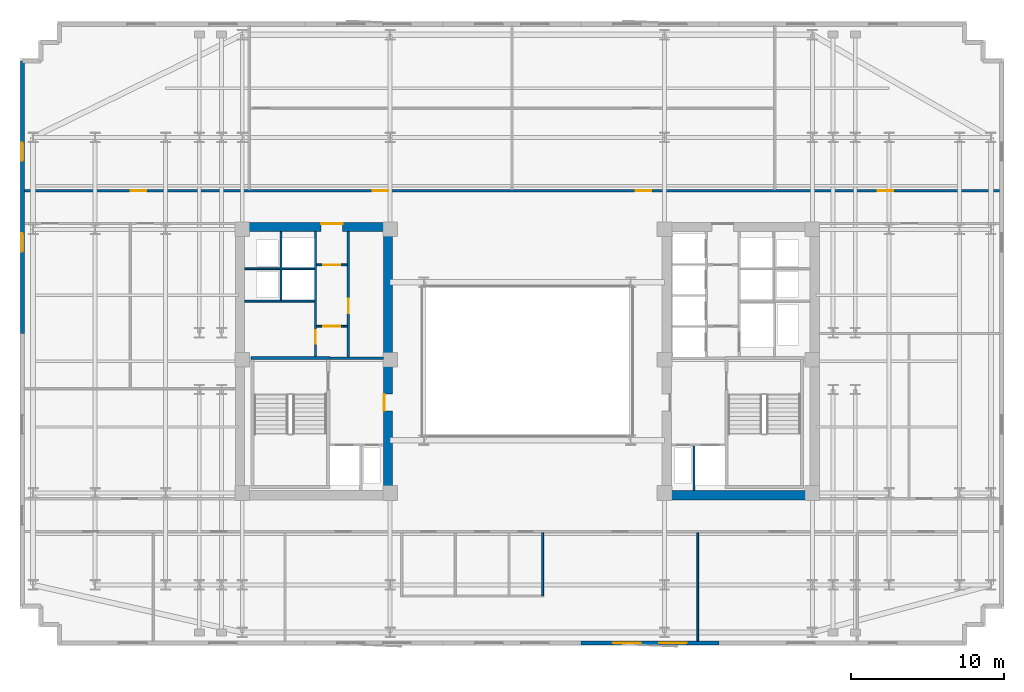
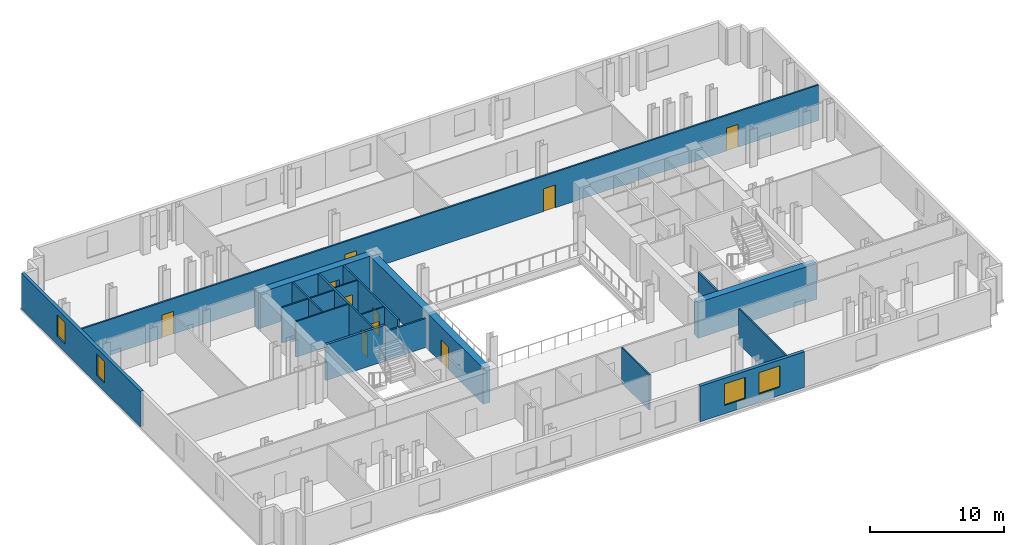
# One storey, part 5 of 10: 19 walls, 10 doors, 4 windows, 14 openings.
"""IFC4 building model written with IfcOpenShell, lengths in metres."""

from ifc_helpers import new_model, si_unit, direction, frame, frame_2d, origin, place, context, subcontext, project, spatial, rectangle, extrude, material, layer, layer_set, type_object, element, fill, save


model = new_model("IFC4")

# Units and contexts
model_context = context("Model", 3, precision=1e-05, world=origin(), true_north=direction((0.0, 1.0)))
body_context = subcontext(model_context, "Body", "Model", "MODEL_VIEW")
ifc_project = project(units=[si_unit("LENGTHUNIT", "METRE"), si_unit("AREAUNIT", "SQUARE_METRE"), si_unit("VOLUMEUNIT", "CUBIC_METRE"), si_unit("PLANEANGLEUNIT", "RADIAN"), si_unit("MASSUNIT", "GRAM", prefix="KILO")], contexts=[model_context])

# Site, building, storey
site_placement = place(None, origin())
site = spatial("IfcSite", under=ifc_project, at=site_placement, CompositionType="ELEMENT")
building_placement = place(site_placement, origin())
building = spatial("IfcBuilding", under=site, at=building_placement, Name="Velakula Bourse", CompositionType="ELEMENT")
storey_placement = place(building_placement, frame((0.0, 0.0, 145.0)))
storey = spatial("IfcBuildingStorey", under=building, at=storey_placement, Name="L39", CompositionType="ELEMENT", Elevation=145.0)

# Wall
ifc_material_1 = material(Name="Concrete M50 (fck 50 MPa)", Category="concrete")
ifc_layer_1 = layer(ifc_material_1, 0.2099609375, Name="Concrete M50 (fck 50 MPa)", Category="concrete")
ifc_layer_set_1 = layer_set([ifc_layer_1], Name="Concrete M50 (fck 50 MPa)")
wall_type_1 = type_object("IfcWallType", Name="WL-CORE-210", PredefinedType="SHEAR", material=ifc_layer_set_1)
wall_1_placement = place(storey_placement, frame((-12.889892578125, 0.205078125, 0.0), z_axis=(0.0, 0.0, 1.0), x_axis=(-1.0, 0.0, 0.0)))
element("IfcWall", 1, at=wall_1_placement, inside=storey, type_object=wall_type_1, Name="L39 Core W Stairwell Shear Wall N", PredefinedType="SHEAR", context=body_context, shape_type="SweptSolid", body=[
    extrude(rectangle(XDim=5.14013671875, YDim=0.2099609375, at=frame_2d((2.570068359375, 0.0))), origin(), (0.0, 0.0, 1.0), 3.27001953125),
])

# Wall, opening, door
ifc_material_2 = material(Name="Concrete M70 (fck 70 MPa)", Category="concrete")
ifc_layer_2 = layer(ifc_material_2, 0.60009765625, Name="Concrete M70 (fck 70 MPa)", Category="concrete")
ifc_layer_set_2 = layer_set([ifc_layer_2], Name="Concrete M70 (fck 70 MPa)")
wall_type_2 = type_object("IfcWallType", Name="WL-CORE-600", PredefinedType="SHEAR", material=ifc_layer_set_2)
wall_2_placement = place(storey_placement, frame((-19.050048828125, 8.75, 0.0), z_axis=(0.0, 0.0, 1.0), x_axis=(1.0, 0.0, 0.0)))
wall_2 = element("IfcWall", 2, at=wall_2_placement, inside=storey, type_object=wall_type_2, Name="L39 Core W Shear Wall N", PredefinedType="SHEAR", context=body_context, shape_type="SweptSolid", body=[
    extrude(rectangle(XDim=10.25, YDim=0.60009765625, at=frame_2d((5.125, 0.0))), origin(), (0.0, 0.0, 1.0), 3.27001953125),
])
opening_1_placement = place(wall_2_placement, frame((5.60009765625, 0.0, 0.0)))
opening_1 = element("IfcOpeningElement", 3, at=opening_1_placement, cuts=wall_2, Name="Opening D-LLW", PredefinedType="OPENING", context=body_context, shape_type="SweptSolid", body=[
    extrude(rectangle(XDim=1.39990234375, YDim=2.050048828125, at=frame_2d((0.699951171875, 1.02490234375))), frame((0.0, 0.31005859375, 0.0), z_axis=(0.0, -1.0, 0.0), x_axis=(1.0, 0.0, 0.0)), (0.0, 0.0, 1.0), 0.6201171875),
])
ifc_material_3 = material(Name="Fire-rated hardwood flush architectural door", Category="wood")
door_type_1 = type_object("IfcDoorType", Name="DR-DBL-FD60-1400", OperationType="DOUBLE_DOOR_SINGLE_SWING", PredefinedType="DOOR", material=ifc_material_3)
door_1_placement = place(opening_1_placement, origin())
door_1 = element("IfcDoor", 4, at=door_1_placement, inside=storey, type_object=door_type_1, Name="L39 Core W Lift Lobby Corridor Double Door", OperationType="DOUBLE_DOOR_SINGLE_SWING", OverallHeight=2.050048828125, OverallWidth=1.39990234375, PredefinedType="DOOR", context=body_context, shape_type="SweptSolid", body=[
    extrude(rectangle(XDim=1.39990234375, YDim=2.050048828125, at=frame_2d((0.699951171875, 1.02490234375))), frame((0.0, 0.2451171875, 0.0), z_axis=(0.0, -1.0, 0.0), x_axis=(1.0, 0.0, 0.0)), (0.0, 0.0, 1.0), 0.050048828125),
])
fill(opening_1, door_1)

wall_3_placement = place(storey_placement, frame((-9.10009765625, -8.449951171875, 0.0), z_axis=(0.0, 0.0, 1.0), x_axis=(0.0, 1.0, 0.0)))
wall_3 = element("IfcWall", 5, at=wall_3_placement, inside=storey, type_object=wall_type_2, Name="L39 Core W Shear Wall E", PredefinedType="SHEAR", context=body_context, shape_type="SweptSolid", body=[
    extrude(rectangle(XDim=16.89990234375, YDim=0.60009765625, at=frame_2d((8.449951171875, 0.0))), origin(), (0.0, 0.0, 1.0), 3.27001953125),
])
opening_2_placement = place(wall_3_placement, frame((5.199951171875, 0.0, 0.0)))
opening_2 = element("IfcOpeningElement", 6, at=opening_2_placement, cuts=wall_3, Name="Opening D-FLW", PredefinedType="OPENING", context=body_context, shape_type="SweptSolid", body=[
    extrude(rectangle(XDim=1.10009765625, YDim=2.080078125, at=frame_2d((0.550048828125, 1.0400390625))), frame((0.0, 0.31005859375, 0.0), z_axis=(0.0, -1.0, 0.0), x_axis=(1.0, 0.0, 0.0)), (0.0, 0.0, 1.0), 0.6201171875),
])
ifc_material_4 = material(Name="Galvanised painted hollow steel fire door", Category="steel")
door_type_2 = type_object("IfcDoorType", Name="DR-FD120-1100", OperationType="NOTDEFINED", PredefinedType="DOOR", material=ifc_material_4)
door_2_placement = place(opening_2_placement, origin())
door_2 = element("IfcDoor", 7, at=door_2_placement, inside=storey, type_object=door_type_2, Name="L39 Firefighting Lobby W Corridor Fire Door", OperationType="SINGLE_SWING_LEFT", OverallHeight=2.080078125, OverallWidth=1.10009765625, PredefinedType="DOOR", context=body_context, shape_type="SweptSolid", body=[
    extrude(rectangle(XDim=1.10009765625, YDim=2.080078125, at=frame_2d((0.550048828125, 1.0400390625))), frame((0.0, 0.2548828125, 0.0), z_axis=(0.0, -1.0, 0.0), x_axis=(1.0, 0.0, 0.0)), (0.0, 0.0, 1.0), 0.050048828125),
])
fill(opening_2, door_2)

# Wall
wall_4_placement = place(storey_placement, frame((8.800048828125, -8.75, 0.0), z_axis=(0.0, 0.0, 1.0), x_axis=(1.0, 0.0, 0.0)))
element("IfcWall", 8, at=wall_4_placement, inside=storey, type_object=wall_type_2, Name="L39 Core E Shear Wall S", PredefinedType="SHEAR", context=body_context, shape_type="SweptSolid", body=[
    extrude(rectangle(XDim=10.25, YDim=0.60009765625, at=frame_2d((5.125, 0.0))), origin(), (0.0, 0.0, 1.0), 3.27001953125),
])

# Wall, openings, windows
ifc_material_5 = material(Name="Red kilned clay facing brick masonry", Category="masonry")
ifc_layer_3 = layer(ifc_material_5, 0.280029296875, Name="Red kilned clay facing brick masonry", Category="masonry")
ifc_layer_set_3 = layer_set([ifc_layer_3], Name="Red kilned clay facing brick masonry")
wall_type_3 = type_object("IfcWallType", Name="WL-EXT-BRK-280", PredefinedType="STANDARD", material=ifc_layer_set_3)
wall_5_placement = place(storey_placement, frame((12.5, -18.389892578125, 0.0), z_axis=(0.0, 0.0, 1.0), x_axis=(-1.0, 0.0, 0.0)))
wall_5 = element("IfcWall", 9, at=wall_5_placement, inside=storey, type_object=wall_type_3, Name="L39 S Brick Spandrel Wall B4", PredefinedType="STANDARD", context=body_context, shape_type="SweptSolid", body=[
    extrude(rectangle(XDim=9.0, YDim=0.280029296875, at=frame_2d((4.5, 0.0))), origin(), (0.0, 0.0, 1.0), 3.25),
])
opening_3_placement = place(wall_5_placement, frame((2.10009765625, 0.0, 0.760009765625)))
opening_3 = element("IfcOpeningElement", 10, at=opening_3_placement, cuts=wall_5, Name="Opening W-01", PredefinedType="OPENING", context=body_context, shape_type="SweptSolid", body=[
    extrude(rectangle(XDim=1.800048828125, YDim=1.949951171875, at=frame_2d((0.89990234375, 0.97509765625))), frame((0.0, 0.14990234375, 0.0), z_axis=(0.0, -1.0, 0.0), x_axis=(1.0, 0.0, 0.0)), (0.0, 0.0, 1.0), 0.300048828125),
])
opening_4_placement = place(wall_5_placement, frame((5.10009765625, 0.0, 0.760009765625)))
opening_4 = element("IfcOpeningElement", 11, at=opening_4_placement, cuts=wall_5, Name="Opening W-01", PredefinedType="OPENING", context=body_context, shape_type="SweptSolid", body=[
    extrude(rectangle(XDim=1.800048828125, YDim=1.949951171875, at=frame_2d((0.89990234375, 0.97509765625))), frame((0.0, 0.14990234375, 0.0), z_axis=(0.0, -1.0, 0.0), x_axis=(1.0, 0.0, 0.0)), (0.0, 0.0, 1.0), 0.300048828125),
])
ifc_material_6 = material(Name="Double-glazed solar-control Low-E glass", Category="glass")
window_type_1 = type_object("IfcWindowType", Name="WIN-TWR-1800x2100", PartitioningType="SINGLE_PANEL", PredefinedType="WINDOW", material=ifc_material_6)
window_1_placement = place(opening_3_placement, origin())
window_1 = element("IfcWindow", 12, at=window_1_placement, inside=storey, type_object=window_type_1, Name="L39 Deep-Set Recessed Window 1", OverallHeight=1.949951171875, OverallWidth=1.800048828125, PartitioningType="SINGLE_PANEL", PredefinedType="WINDOW", context=body_context, shape_type="SweptSolid", body=[
    extrude(rectangle(XDim=1.800048828125, YDim=1.949951171875, at=frame_2d((0.89990234375, 0.97509765625))), frame((0.0, 0.030029296875, 0.0), z_axis=(0.0, -1.0, 0.0), x_axis=(1.0, 0.0, 0.0)), (0.0, 0.0, 1.0), 0.06005859375),
])
fill(opening_3, window_1)
window_2_placement = place(opening_4_placement, origin())
window_2 = element("IfcWindow", 13, at=window_2_placement, inside=storey, type_object=window_type_1, Name="L39 Deep-Set Recessed Window 2", OverallHeight=1.949951171875, OverallWidth=1.800048828125, PartitioningType="SINGLE_PANEL", PredefinedType="WINDOW", context=body_context, shape_type="SweptSolid", body=[
    extrude(rectangle(XDim=1.800048828125, YDim=1.949951171875, at=frame_2d((0.89990234375, 0.97509765625))), frame((0.0, 0.030029296875, 0.0), z_axis=(0.0, -1.0, 0.0), x_axis=(1.0, 0.0, 0.0)), (0.0, 0.0, 1.0), 0.06005859375),
])
fill(opening_4, window_2)

wall_6_placement = place(storey_placement, frame((-32.93994140625, 1.800048828125, 0.0), z_axis=(0.0, 0.0, 1.0), x_axis=(0.0, 1.0, 0.0)))
wall_6 = element("IfcWall", 14, at=wall_6_placement, inside=storey, type_object=wall_type_3, Name="L39 W Brick End Wall W2", PredefinedType="STANDARD", context=body_context, shape_type="SweptSolid", body=[
    extrude(rectangle(XDim=17.7900390625, YDim=0.280029296875, at=frame_2d((8.89501953125, 0.0))), origin(), (0.0, 0.0, 1.0), 3.25),
])
opening_5_placement = place(wall_6_placement, frame((5.330078125, 0.0, 0.760009765625)))
opening_5 = element("IfcOpeningElement", 15, at=opening_5_placement, cuts=wall_6, Name="Opening W-04", PredefinedType="OPENING", context=body_context, shape_type="SweptSolid", body=[
    extrude(rectangle(XDim=1.199951171875, YDim=1.949951171875, at=frame_2d((0.60009765625, 0.97509765625))), frame((0.0, 0.14990234375, 0.0), z_axis=(0.0, -1.0, 0.0), x_axis=(1.0, 0.0, 0.0)), (0.0, 0.0, 1.0), 0.300048828125),
])
opening_6_placement = place(wall_6_placement, frame((11.260009765625, 0.0, 0.760009765625)))
opening_6 = element("IfcOpeningElement", 16, at=opening_6_placement, cuts=wall_6, Name="Opening W-04", PredefinedType="OPENING", context=body_context, shape_type="SweptSolid", body=[
    extrude(rectangle(XDim=1.199951171875, YDim=1.949951171875, at=frame_2d((0.60009765625, 0.97509765625))), frame((0.0, 0.14990234375, 0.0), z_axis=(0.0, -1.0, 0.0), x_axis=(1.0, 0.0, 0.0)), (0.0, 0.0, 1.0), 0.300048828125),
])
window_type_2 = type_object("IfcWindowType", Name="WIN-TWR-1200x2100", PartitioningType="SINGLE_PANEL", PredefinedType="WINDOW", material=ifc_material_6)
window_3_placement = place(opening_5_placement, origin())
window_3 = element("IfcWindow", 17, at=window_3_placement, inside=storey, type_object=window_type_2, Name="L39 Deep-Set Recessed Window 1", OverallHeight=1.949951171875, OverallWidth=1.199951171875, PartitioningType="SINGLE_PANEL", PredefinedType="WINDOW", context=body_context, shape_type="SweptSolid", body=[
    extrude(rectangle(XDim=1.199951171875, YDim=1.949951171875, at=frame_2d((0.60009765625, 0.97509765625))), frame((0.0, 0.030029296875, 0.0), z_axis=(0.0, -1.0, 0.0), x_axis=(1.0, 0.0, 0.0)), (0.0, 0.0, 1.0), 0.06005859375),
])
fill(opening_5, window_3)
window_4_placement = place(opening_6_placement, origin())
window_4 = element("IfcWindow", 18, at=window_4_placement, inside=storey, type_object=window_type_2, Name="L39 Deep-Set Recessed Window 2", OverallHeight=1.949951171875, OverallWidth=1.199951171875, PartitioningType="SINGLE_PANEL", PredefinedType="WINDOW", context=body_context, shape_type="SweptSolid", body=[
    extrude(rectangle(XDim=1.199951171875, YDim=1.949951171875, at=frame_2d((0.60009765625, 0.97509765625))), frame((0.0, 0.030029296875, 0.0), z_axis=(0.0, -1.0, 0.0), x_axis=(1.0, 0.0, 0.0)), (0.0, 0.0, 1.0), 0.06005859375),
])
fill(opening_6, window_4)

# Wall, opening, door
ifc_material_7 = material(Name="Fire-rated double-layer gypsum drywall partition", Category="gypsum")
ifc_layer_4 = layer(ifc_material_7, 0.1201171875, Name="Fire-rated double-layer gypsum drywall partition", Category="gypsum")
ifc_layer_set_4 = layer_set([ifc_layer_4], Name="Fire-rated double-layer gypsum drywall partition")
wall_type_4 = type_object("IfcWallType", Name="WL-PART-120", PredefinedType="STANDARD", material=ifc_layer_set_4)
wall_7_placement = place(storey_placement, frame((-13.75, 2.280029296875, 0.0), z_axis=(0.0, 0.0, 1.0), x_axis=(1.0, 0.0, 0.0)))
wall_7 = element("IfcWall", 19, at=wall_7_placement, inside=storey, type_object=wall_type_4, Name="L39 Interior Partition WL-CRW-L39-LL-K3A", PredefinedType="STANDARD", context=body_context, shape_type="SweptSolid", body=[
    extrude(rectangle(XDim=2.0, YDim=0.1201171875, at=frame_2d((1.0, 0.0))), origin(), (0.0, 0.0, 1.0), 3.25),
])
opening_7_placement = place(wall_7_placement, frame((0.449951171875, 0.0, 0.0)))
opening_7 = element("IfcOpeningElement", 20, at=opening_7_placement, cuts=wall_7, Name="Opening D-LK3", PredefinedType="OPENING", context=body_context, shape_type="SweptSolid", body=[
    extrude(rectangle(XDim=1.10009765625, YDim=2.10009765625, at=frame_2d((0.550048828125, 1.050048828125))), frame((0.0, 0.070068359375, 0.0), z_axis=(0.0, -1.0, 0.0), x_axis=(1.0, 0.0, 0.0)), (0.0, 0.0, 1.0), 0.14013671875),
])
door_type_3 = type_object("IfcDoorType", Name="DR-FD60-1100x2100", OperationType="NOTDEFINED", PredefinedType="DOOR", material=ifc_material_3)
door_3_placement = place(opening_7_placement, origin())
door_3 = element("IfcDoor", 21, at=door_3_placement, inside=storey, type_object=door_type_3, Name="L39 Core W Lift Lobby Vestibule Door A", OperationType="SINGLE_SWING_RIGHT", OverallHeight=2.10009765625, OverallWidth=1.10009765625, PredefinedType="DOOR", context=body_context, shape_type="SweptSolid", body=[
    extrude(rectangle(XDim=1.10009765625, YDim=2.10009765625, at=frame_2d((0.550048828125, 1.050048828125))), frame((0.0, 0.02490234375, 0.0), z_axis=(0.0, -1.0, 0.0), x_axis=(1.0, 0.0, 0.0)), (0.0, 0.0, 1.0), 0.050048828125),
])
fill(opening_7, door_3)

wall_8_placement = place(storey_placement, frame((-13.75, 6.280029296875, 0.0), z_axis=(0.0, 0.0, 1.0), x_axis=(1.0, 0.0, 0.0)))
wall_8 = element("IfcWall", 22, at=wall_8_placement, inside=storey, type_object=wall_type_4, Name="L39 Interior Partition WL-CRW-L39-LL-K3B", PredefinedType="STANDARD", context=body_context, shape_type="SweptSolid", body=[
    extrude(rectangle(XDim=2.0, YDim=0.1201171875, at=frame_2d((1.0, 0.0))), origin(), (0.0, 0.0, 1.0), 3.25),
])
opening_8_placement = place(wall_8_placement, frame((0.449951171875, 0.0, 0.0)))
opening_8 = element("IfcOpeningElement", 23, at=opening_8_placement, cuts=wall_8, Name="Opening D-LK3", PredefinedType="OPENING", context=body_context, shape_type="SweptSolid", body=[
    extrude(rectangle(XDim=1.10009765625, YDim=2.10009765625, at=frame_2d((0.550048828125, 1.050048828125))), frame((0.0, 0.070068359375, 0.0), z_axis=(0.0, -1.0, 0.0), x_axis=(1.0, 0.0, 0.0)), (0.0, 0.0, 1.0), 0.14013671875),
])
door_4_placement = place(opening_8_placement, origin())
door_4 = element("IfcDoor", 24, at=door_4_placement, inside=storey, type_object=door_type_3, Name="L39 Core W Lift Lobby Vestibule Door B", OperationType="SINGLE_SWING_RIGHT", OverallHeight=2.10009765625, OverallWidth=1.10009765625, PredefinedType="DOOR", context=body_context, shape_type="SweptSolid", body=[
    extrude(rectangle(XDim=1.10009765625, YDim=2.10009765625, at=frame_2d((0.550048828125, 1.050048828125))), frame((0.0, 0.02490234375, 0.0), z_axis=(0.0, -1.0, 0.0), x_axis=(1.0, 0.0, 0.0)), (0.0, 0.0, 1.0), 0.050048828125),
])
fill(opening_8, door_4)

# Walls
wall_9_placement = place(storey_placement, frame((-18.449951171875, 3.919921875, 0.0), z_axis=(0.0, 0.0, 1.0), x_axis=(1.0, 0.0, 0.0)))
element("IfcWall", 25, at=wall_9_placement, inside=storey, type_object=wall_type_4, Name="L39 Interior Partition WL-CRW-L39-HI-S", PredefinedType="STANDARD", context=body_context, shape_type="SweptSolid", body=[
    extrude(rectangle(XDim=4.550048828125, YDim=0.1201171875, at=frame_2d((2.27490234375, 0.0))), origin(), (0.0, 0.0, 1.0), 3.25),
])
wall_10_placement = place(storey_placement, frame((-18.449951171875, 6.030029296875, 0.0), z_axis=(0.0, 0.0, 1.0), x_axis=(1.0, 0.0, 0.0)))
element("IfcWall", 26, at=wall_10_placement, inside=storey, type_object=wall_type_4, Name="L39 Interior Partition WL-CRW-L39-RIS-MID", PredefinedType="STANDARD", context=body_context, shape_type="SweptSolid", body=[
    extrude(rectangle(XDim=2.300048828125, YDim=0.1201171875, at=frame_2d((1.14990234375, 0.0))), origin(), (0.0, 0.0, 1.0), 3.25),
])
wall_11_placement = place(storey_placement, frame((-16.074951171875, 3.97998046875, 0.0), z_axis=(0.0, 0.0, 1.0), x_axis=(0.0, 1.0, 0.0)))
element("IfcWall", 27, at=wall_11_placement, inside=storey, type_object=wall_type_4, Name="L39 Interior Partition WL-CRW-L39-RIS-F", PredefinedType="STANDARD", context=body_context, shape_type="SweptSolid", body=[
    extrude(rectangle(XDim=4.469970703125, YDim=0.1201171875, at=frame_2d((2.23486328125, 0.0))), origin(), (0.0, 0.0, 1.0), 3.25),
])
wall_12_placement = place(storey_placement, frame((-16.0, 6.030029296875, 0.0), z_axis=(0.0, 0.0, 1.0), x_axis=(1.0, 0.0, 0.0)))
element("IfcWall", 28, at=wall_12_placement, inside=storey, type_object=wall_type_4, Name="L39 Interior Partition WL-CRW-L39-HI-DIV", PredefinedType="STANDARD", context=body_context, shape_type="SweptSolid", body=[
    extrude(rectangle(XDim=2.10009765625, YDim=0.1201171875, at=frame_2d((1.050048828125, 0.0))), origin(), (0.0, 0.0, 1.0), 3.25),
])
wall_13_placement = place(storey_placement, frame((1.0, -15.320068359375, 0.0), z_axis=(0.0, 0.0, 1.0), x_axis=(0.0, 1.0, 0.0)))
element("IfcWall", 29, at=wall_13_placement, inside=storey, type_object=wall_type_4, Name="L39 Interior Partition WL-WC-L39-V4", PredefinedType="STANDARD", context=body_context, shape_type="SweptSolid", body=[
    extrude(rectangle(XDim=4.130126953125, YDim=0.1201171875, at=frame_2d((2.06494140625, 0.0))), origin(), (0.0, 0.0, 1.0), 3.25),
])
wall_14_placement = place(storey_placement, frame((11.117919921875, -18.27001953125, 0.0), z_axis=(0.0, 0.0, 1.0), x_axis=(0.0, 1.0, 0.0)))
element("IfcWall", 30, at=wall_14_placement, inside=storey, type_object=wall_type_4, Name="L39 Interior Partition WL-INT-L39-SR-D7", PredefinedType="STANDARD", context=body_context, shape_type="SweptSolid", body=[
    extrude(rectangle(XDim=7.080078125, YDim=0.1201171875, at=frame_2d((3.5400390625, 0.0))), origin(), (0.0, 0.0, 1.0), 3.25),
])

# Wall, openings, doors
ifc_layer_5 = layer(ifc_material_7, 0.139892578125, Name="Fire-rated double-layer gypsum drywall partition", Category="gypsum")
ifc_layer_set_5 = layer_set([ifc_layer_5], Name="Fire-rated double-layer gypsum drywall partition")
wall_type_5 = type_object("IfcWallType", Name="WL-PART-140", PredefinedType="STANDARD", material=ifc_layer_set_5)
wall_15_placement = place(storey_placement, frame((-32.820068359375, 11.1201171875, 0.0), z_axis=(0.0, 0.0, 1.0), x_axis=(1.0, 0.0, 0.0)))
wall_15 = element("IfcWall", 31, at=wall_15_placement, inside=storey, type_object=wall_type_5, Name="L39 Interior Partition WL-INT-L39-N-CORR", PredefinedType="STANDARD", context=body_context, shape_type="SweptSolid", body=[
    extrude(rectangle(XDim=63.64013671875, YDim=0.139892578125, at=frame_2d((31.820068359375, 0.0))), origin(), (0.0, 0.0, 1.0), 3.25),
])
opening_9_placement = place(wall_15_placement, frame((6.9609375, 0.0, 0.0)))
opening_9 = element("IfcOpeningElement", 32, at=opening_9_placement, cuts=wall_15, Name="Opening D-OF1", PredefinedType="OPENING", context=body_context, shape_type="SweptSolid", body=[
    extrude(rectangle(XDim=1.0, YDim=2.080078125, at=frame_2d((0.5, 1.0400390625))), frame((0.0, 0.079833984375, 0.0), z_axis=(0.0, -1.0, 0.0), x_axis=(1.0, 0.0, 0.0)), (0.0, 0.0, 1.0), 0.159912109375),
])
opening_10_placement = place(wall_15_placement, frame((22.7451171875, 0.0, 0.0)))
opening_10 = element("IfcOpeningElement", 33, at=opening_10_placement, cuts=wall_15, Name="Opening D-OF1", PredefinedType="OPENING", context=body_context, shape_type="SweptSolid", body=[
    extrude(rectangle(XDim=1.0, YDim=2.080078125, at=frame_2d((0.5, 1.0400390625))), frame((0.0, 0.079833984375, 0.0), z_axis=(0.0, -1.0, 0.0), x_axis=(1.0, 0.0, 0.0)), (0.0, 0.0, 1.0), 0.159912109375),
])
opening_11_placement = place(wall_15_placement, frame((39.89501953125, 0.0, 0.0)))
opening_11 = element("IfcOpeningElement", 34, at=opening_11_placement, cuts=wall_15, Name="Opening D-OF1", PredefinedType="OPENING", context=body_context, shape_type="SweptSolid", body=[
    extrude(rectangle(XDim=1.0, YDim=2.080078125, at=frame_2d((0.5, 1.0400390625))), frame((0.0, 0.079833984375, 0.0), z_axis=(0.0, -1.0, 0.0), x_axis=(1.0, 0.0, 0.0)), (0.0, 0.0, 1.0), 0.159912109375),
])
opening_12_placement = place(wall_15_placement, frame((55.678955078125, 0.0, 0.0)))
opening_12 = element("IfcOpeningElement", 35, at=opening_12_placement, cuts=wall_15, Name="Opening D-OF1", PredefinedType="OPENING", context=body_context, shape_type="SweptSolid", body=[
    extrude(rectangle(XDim=1.0, YDim=2.080078125, at=frame_2d((0.5, 1.0400390625))), frame((0.0, 0.079833984375, 0.0), z_axis=(0.0, -1.0, 0.0), x_axis=(1.0, 0.0, 0.0)), (0.0, 0.0, 1.0), 0.159912109375),
])
door_type_4 = type_object("IfcDoorType", Name="DR-OFF-1000", OperationType="NOTDEFINED", PredefinedType="DOOR", material=ifc_material_3)
door_5_placement = place(opening_9_placement, origin())
door_5 = element("IfcDoor", 36, at=door_5_placement, inside=storey, type_object=door_type_4, Name="L39 Green-Bond Carbon Exchange Workspace Door", OperationType="SINGLE_SWING_LEFT", OverallHeight=2.080078125, OverallWidth=1.0, PredefinedType="DOOR", context=body_context, shape_type="SweptSolid", body=[
    extrude(rectangle(XDim=1.0, YDim=2.080078125, at=frame_2d((0.5, 1.0400390625))), frame((0.0, 0.02490234375, 0.0), z_axis=(0.0, -1.0, 0.0), x_axis=(1.0, 0.0, 0.0)), (0.0, 0.0, 1.0), 0.050048828125),
])
fill(opening_9, door_5)
door_6_placement = place(opening_10_placement, origin())
door_6 = element("IfcDoor", 37, at=door_6_placement, inside=storey, type_object=door_type_4, Name="L39 Disciplinary Hearing Room Door", OperationType="SINGLE_SWING_RIGHT", OverallHeight=2.080078125, OverallWidth=1.0, PredefinedType="DOOR", context=body_context, shape_type="SweptSolid", body=[
    extrude(rectangle(XDim=1.0, YDim=2.080078125, at=frame_2d((0.5, 1.0400390625))), frame((0.0, 0.02490234375, 0.0), z_axis=(0.0, -1.0, 0.0), x_axis=(1.0, 0.0, 0.0)), (0.0, 0.0, 1.0), 0.050048828125),
])
fill(opening_10, door_6)
door_7_placement = place(opening_11_placement, origin())
door_7 = element("IfcDoor", 38, at=door_7_placement, inside=storey, type_object=door_type_4, Name="L39 Clearing Committee Room Door", OperationType="SINGLE_SWING_RIGHT", OverallHeight=2.080078125, OverallWidth=1.0, PredefinedType="DOOR", context=body_context, shape_type="SweptSolid", body=[
    extrude(rectangle(XDim=1.0, YDim=2.080078125, at=frame_2d((0.5, 1.0400390625))), frame((0.0, 0.02490234375, 0.0), z_axis=(0.0, -1.0, 0.0), x_axis=(1.0, 0.0, 0.0)), (0.0, 0.0, 1.0), 0.050048828125),
])
fill(opening_11, door_7)
door_8_placement = place(opening_12_placement, origin())
door_8 = element("IfcDoor", 39, at=door_8_placement, inside=storey, type_object=door_type_4, Name="L39 Members Dining Lounge Door", OperationType="SINGLE_SWING_RIGHT", OverallHeight=2.080078125, OverallWidth=1.0, PredefinedType="DOOR", context=body_context, shape_type="SweptSolid", body=[
    extrude(rectangle(XDim=1.0, YDim=2.080078125, at=frame_2d((0.5, 1.0400390625))), frame((0.0, 0.02490234375, 0.0), z_axis=(0.0, -1.0, 0.0), x_axis=(1.0, 0.0, 0.0)), (0.0, 0.0, 1.0), 0.050048828125),
])
fill(opening_12, door_8)

# Wall
ifc_material_8 = material(Name="Autoclaved aerated concrete blockwork masonry", Category="masonry")
ifc_layer_6 = layer(ifc_material_8, 0.14990234375, Name="Autoclaved aerated concrete blockwork masonry", Category="masonry")
ifc_layer_set_6 = layer_set([ifc_layer_6], Name="Autoclaved aerated concrete blockwork masonry")
wall_type_6 = type_object("IfcWallType", Name="WL-SHAFT-150", PredefinedType="STANDARD", material=ifc_layer_set_6)
wall_16_placement = place(storey_placement, frame((-12.889892578125, 0.18994140625, 0.0), z_axis=(0.0, 0.0, 1.0), x_axis=(1.0, 0.0, 0.0)))
element("IfcWall", 40, at=wall_16_placement, inside=storey, type_object=wall_type_6, Name="L39 Interior Partition WL-CRW-L39-FF-TOP", PredefinedType="STANDARD", context=body_context, shape_type="SweptSolid", body=[
    extrude(rectangle(XDim=3.489990234375, YDim=0.14990234375, at=frame_2d((1.7451171875, 0.0))), origin(), (0.0, 0.0, 1.0), 2.64501953125),
])

# Wall, opening, door
wall_17_placement = place(storey_placement, frame((-11.675048828125, 0.27001953125, 0.0), z_axis=(0.0, 0.0, 1.0), x_axis=(0.0, 1.0, 0.0)))
wall_17 = element("IfcWall", 41, at=wall_17_placement, inside=storey, type_object=wall_type_6, Name="L39 Interior Partition WL-CRW-L39-BANK-F", PredefinedType="STANDARD", context=body_context, shape_type="SweptSolid", body=[
    extrude(rectangle(XDim=8.179931640625, YDim=0.14990234375, at=frame_2d((4.08984375, 0.0))), origin(), (0.0, 0.0, 1.0), 3.25),
])
opening_13_placement = place(wall_17_placement, frame((2.85009765625, 0.0, 0.0)))
opening_13 = element("IfcOpeningElement", 42, at=opening_13_placement, cuts=wall_17, Name="Opening D-RC4", PredefinedType="OPENING", context=body_context, shape_type="SweptSolid", body=[
    extrude(rectangle(XDim=0.949951171875, YDim=2.050048828125, at=frame_2d((0.47509765625, 1.02490234375))), frame((0.0, 0.0849609375, 0.0), z_axis=(0.0, -1.0, 0.0), x_axis=(1.0, 0.0, 0.0)), (0.0, 0.0, 1.0), 0.169921875),
])
door_type_5 = type_object("IfcDoorType", Name="DR-FD60-950x2050", OperationType="NOTDEFINED", PredefinedType="DOOR", material=ifc_material_3)
door_9_placement = place(opening_13_placement, origin())
door_9 = element("IfcDoor", 43, at=door_9_placement, inside=storey, type_object=door_type_5, Name="L39 Reclaimed Multi-Bay Archive Room Door", OperationType="SINGLE_SWING_RIGHT", OverallHeight=2.050048828125, OverallWidth=0.949951171875, PredefinedType="DOOR", context=body_context, shape_type="SweptSolid", body=[
    extrude(rectangle(XDim=0.949951171875, YDim=2.050048828125, at=frame_2d((0.47509765625, 1.02490234375))), frame((0.0, 0.02490234375, 0.0), z_axis=(0.0, -1.0, 0.0), x_axis=(1.0, 0.0, 0.0)), (0.0, 0.0, 1.0), 0.050048828125),
])
fill(opening_13, door_9)

wall_18_placement = place(storey_placement, frame((-13.824951171875, 0.27001953125, 0.0), z_axis=(0.0, 0.0, 1.0), x_axis=(0.0, 1.0, 0.0)))
wall_18 = element("IfcWall", 44, at=wall_18_placement, inside=storey, type_object=wall_type_6, Name="L39 Interior Partition WL-CRW-L39-OUT-F", PredefinedType="STANDARD", context=body_context, shape_type="SweptSolid", body=[
    extrude(rectangle(XDim=8.179931640625, YDim=0.14990234375, at=frame_2d((4.08984375, 0.0))), origin(), (0.0, 0.0, 1.0), 3.25),
])
opening_14_placement = place(wall_18_placement, frame((0.85009765625, 0.0, 0.0)))
opening_14 = element("IfcOpeningElement", 45, at=opening_14_placement, cuts=wall_18, Name="Opening D-CR3", PredefinedType="OPENING", context=body_context, shape_type="SweptSolid", body=[
    extrude(rectangle(XDim=0.89990234375, YDim=2.050048828125, at=frame_2d((0.449951171875, 1.02490234375))), frame((0.0, 0.0849609375, 0.0), z_axis=(0.0, -1.0, 0.0), x_axis=(1.0, 0.0, 0.0)), (0.0, 0.0, 1.0), 0.169921875),
])
door_type_6 = type_object("IfcDoorType", Name="DR-INT-900", OperationType="NOTDEFINED", PredefinedType="DOOR", material=ifc_material_3)
door_10_placement = place(opening_14_placement, origin())
door_10 = element("IfcDoor", 46, at=door_10_placement, inside=storey, type_object=door_type_6, Name="L39 Core Stationery and Mail Room Door", OperationType="SINGLE_SWING_RIGHT", OverallHeight=2.050048828125, OverallWidth=0.89990234375, PredefinedType="DOOR", context=body_context, shape_type="SweptSolid", body=[
    extrude(rectangle(XDim=0.89990234375, YDim=2.050048828125, at=frame_2d((0.449951171875, 1.02490234375))), frame((0.0, 0.02490234375, 0.0), z_axis=(0.0, -1.0, 0.0), x_axis=(1.0, 0.0, 0.0)), (0.0, 0.0, 1.0), 0.050048828125),
])
fill(opening_14, door_10)

# Wall
wall_19_placement = place(storey_placement, frame((10.875, -8.449951171875, 0.0), z_axis=(0.0, 0.0, 1.0), x_axis=(0.0, 1.0, 0.0)))
element("IfcWall", 47, at=wall_19_placement, inside=storey, type_object=wall_type_6, Name="L39 Interior Partition WL-CRE-L39-FR-DIV", PredefinedType="STANDARD", context=body_context, shape_type="SweptSolid", body=[
    extrude(rectangle(XDim=2.89990234375, YDim=0.14990234375, at=frame_2d((1.449951171875, 0.0))), origin(), (0.0, 0.0, 1.0), 3.25),
])

save(model, "model.ifc")
